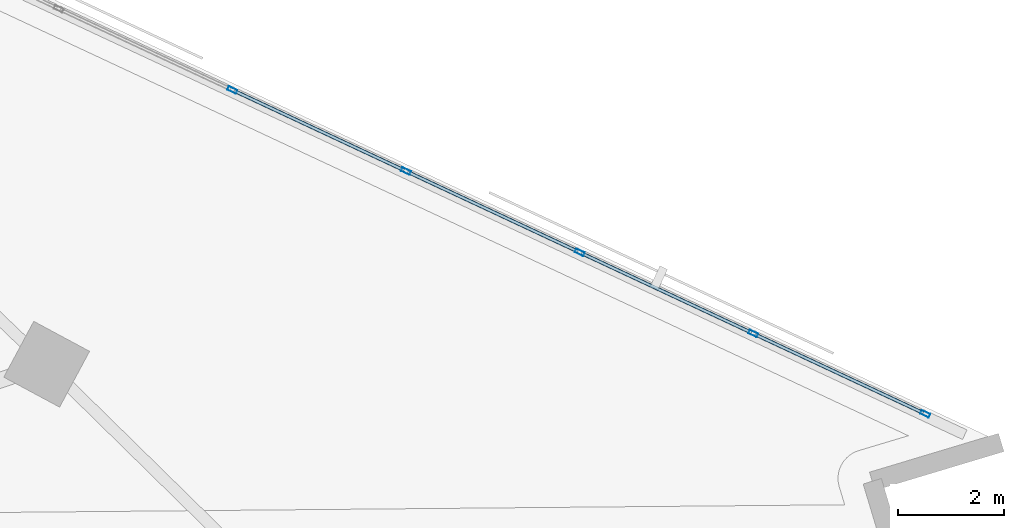
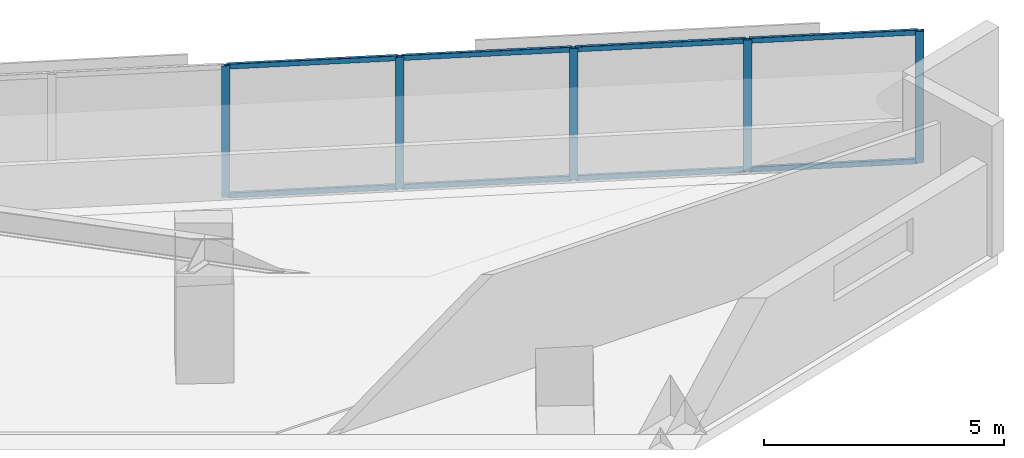
# One storey, part 5 of 15: 13 members, 1 element without a shape of its own.
"""IFC4 building model written with IfcOpenShell, lengths in metres."""

from ifc_helpers import new_model, si_unit, direction, frame, origin, origin_2d, place, context, subcontext, project, spatial, hollow_rectangle, extrude, material, material_profile, profile_set, type_object, element, aggregate, save


model = new_model("IFC4")

# Units and contexts
model_context = context("Model", 3, precision=1e-05, world=origin(), true_north=direction((0.0, 1.0)))
body_context = subcontext(model_context, "Body", "Model", "MODEL_VIEW")
ifc_project = project(units=[si_unit("LENGTHUNIT", "METRE"), si_unit("AREAUNIT", "SQUARE_METRE"), si_unit("VOLUMEUNIT", "CUBIC_METRE"), si_unit("PLANEANGLEUNIT", "RADIAN"), si_unit("MASSUNIT", "GRAM", prefix="KILO")], contexts=[model_context])

# Site, building, storey
site_placement = place(None, origin())
site = spatial("IfcSite", under=ifc_project, at=site_placement, CompositionType="ELEMENT")
building_placement = place(site_placement, origin())
building = spatial("IfcBuilding", under=site, at=building_placement, Name="Narakoshi Arena Tower", CompositionType="ELEMENT")
storey_placement = place(building_placement, frame((0.0, 0.0, 157.5)))
storey = spatial("IfcBuildingStorey", under=building, at=storey_placement, Name="L42", CompositionType="ELEMENT", Elevation=157.5)

# Curtain wall, members
ifc_material = material(Name="Anodised bronze aluminium 6063-T6", Category="aluminium")
curtain_wall_type = type_object("IfcCurtainWallType", Name="CW-HYP-MID", PredefinedType="NOTDEFINED", material=ifc_material)
curtain_wall_placement = place(storey_placement, origin())
curtain_wall = element("IfcCurtainWall", 1, at=curtain_wall_placement, inside=storey, type_object=curtain_wall_type, Name="L42 Folded Hypotenuse Curtain Wall 1-1", PredefinedType="NOTDEFINED")
ifc_material_profile_1 = material_profile(ifc_material, hollow_rectangle(XDim=0.074951171875, YDim=0.179931640625, WallThickness=0.00390625, OuterFilletRadius=0.0048828125, at=origin_2d()), Name="MUL180x75x4")
ifc_profile_set_1 = profile_set([ifc_material_profile_1], Name="Anodised bronze aluminium 6063-T6")
member_type_1 = type_object("IfcMemberType", Name="MEM-MUL-180", PredefinedType="MULLION", material=ifc_profile_set_1)
member_1_placement = place(storey_placement, frame((119.174072265625, 48.238525390625, 0.0), z_axis=(0.0, 0.0, 1.0), x_axis=(-0.423531721612, -0.905881273009, 0.0)))
member_1 = element("IfcMember", 2, at=member_1_placement, type_object=member_type_1, Name="CW-02 mullion 1", PredefinedType="MULLION", context=body_context, shape_type="SweptSolid", body=[
    extrude(hollow_rectangle(XDim=0.074951171875, YDim=0.179931640625, WallThickness=0.00390625, OuterFilletRadius=0.0048828125, at=origin_2d()), origin(), (0.0, 0.0, 1.0), 3.340087890625),
])
member_2_placement = place(storey_placement, frame((115.91650390625, 49.761474609375, 0.0), z_axis=(0.0, 0.0, 1.0), x_axis=(-0.423531721612, -0.905881273009, 0.0)))
member_2 = element("IfcMember", 3, at=member_2_placement, type_object=member_type_1, Name="CW-02 mullion 2", PredefinedType="MULLION", context=body_context, shape_type="SweptSolid", body=[
    extrude(hollow_rectangle(XDim=0.074951171875, YDim=0.179931640625, WallThickness=0.00390625, OuterFilletRadius=0.0048828125, at=origin_2d()), origin(), (0.0, 0.0, 1.0), 3.340087890625),
])
member_3_placement = place(storey_placement, frame((112.625, 51.300537109375, 0.0), z_axis=(0.0, 0.0, 1.0), x_axis=(-0.423531721612, -0.905881273009, 0.0)))
member_3 = element("IfcMember", 4, at=member_3_placement, type_object=member_type_1, Name="CW-02 mullion 3", PredefinedType="MULLION", context=body_context, shape_type="SweptSolid", body=[
    extrude(hollow_rectangle(XDim=0.074951171875, YDim=0.179931640625, WallThickness=0.00390625, OuterFilletRadius=0.0048828125, at=origin_2d()), origin(), (0.0, 0.0, 1.0), 3.340087890625),
])
member_4_placement = place(storey_placement, frame((109.33349609375, 52.83935546875, 0.0), z_axis=(0.0, 0.0, 1.0), x_axis=(-0.423531721612, -0.905881273009, 0.0)))
member_4 = element("IfcMember", 5, at=member_4_placement, type_object=member_type_1, Name="CW-02 mullion 4", PredefinedType="MULLION", context=body_context, shape_type="SweptSolid", body=[
    extrude(hollow_rectangle(XDim=0.074951171875, YDim=0.179931640625, WallThickness=0.00390625, OuterFilletRadius=0.0048828125, at=origin_2d()), origin(), (0.0, 0.0, 1.0), 3.340087890625),
])
member_5_placement = place(storey_placement, frame((106.0419921875, 54.378173828125, 0.0), z_axis=(0.0, 0.0, 1.0), x_axis=(-0.423531721612, -0.905881273009, 0.0)))
member_5 = element("IfcMember", 6, at=member_5_placement, type_object=member_type_1, Name="CW-02 mullion 5", PredefinedType="MULLION", context=body_context, shape_type="SweptSolid", body=[
    extrude(hollow_rectangle(XDim=0.074951171875, YDim=0.179931640625, WallThickness=0.00390625, OuterFilletRadius=0.0048828125, at=origin_2d()), origin(), (0.0, 0.0, 1.0), 3.340087890625),
])
ifc_material_profile_2 = material_profile(ifc_material, hollow_rectangle(XDim=0.06494140625, YDim=0.1298828125, WallThickness=0.00390625, OuterFilletRadius=0.0048828125, at=origin_2d()), Name="TRN130x65x4")
ifc_profile_set_2 = profile_set([ifc_material_profile_2], Name="Anodised bronze aluminium 6063-T6")
member_type_2 = type_object("IfcMemberType", Name="MEM-TRN-130", PredefinedType="USERDEFINED", material=ifc_profile_set_2)
member_6_placement = place(storey_placement, frame((119.14013671875, 48.25439453125, 0.032470703125), z_axis=(-0.905890644442, 0.423511676713, 0.0), x_axis=(-0.423511676713, -0.905890644442, 0.0)))
member_6 = element("IfcMember", 7, at=member_6_placement, type_object=member_type_2, Name="CW-02 transom 1.1", ObjectType="TRANSOM", PredefinedType="USERDEFINED", context=body_context, shape_type="SweptSolid", body=[
    extrude(hollow_rectangle(XDim=0.06494140625, YDim=0.1298828125, WallThickness=0.00390625, OuterFilletRadius=0.0048828125, at=origin_2d()), origin(), (0.0, 0.0, 1.0), 3.52099609375),
])
member_7_placement = place(storey_placement, frame((119.14013671875, 48.25439453125, 3.3076171875), z_axis=(-0.905890644442, 0.423511676713, 0.0), x_axis=(-0.423511676713, -0.905890644442, 0.0)))
member_7 = element("IfcMember", 8, at=member_7_placement, type_object=member_type_2, Name="CW-02 transom 1.2", ObjectType="TRANSOM", PredefinedType="USERDEFINED", context=body_context, shape_type="SweptSolid", body=[
    extrude(hollow_rectangle(XDim=0.06494140625, YDim=0.1298828125, WallThickness=0.00390625, OuterFilletRadius=0.0048828125, at=origin_2d()), origin(), (0.0, 0.0, 1.0), 3.52099609375),
])
member_8_placement = place(storey_placement, frame((115.882568359375, 49.777587890625, 0.032470703125), z_axis=(-0.905890215319, 0.423512594605, 0.0), x_axis=(-0.423512594605, -0.905890215319, 0.0)))
member_8 = element("IfcMember", 9, at=member_8_placement, type_object=member_type_2, Name="CW-02 transom 2.1", ObjectType="TRANSOM", PredefinedType="USERDEFINED", context=body_context, shape_type="SweptSolid", body=[
    extrude(hollow_rectangle(XDim=0.06494140625, YDim=0.1298828125, WallThickness=0.00390625, OuterFilletRadius=0.0048828125, at=origin_2d()), origin(), (0.0, 0.0, 1.0), 3.55859375),
])
member_9_placement = place(storey_placement, frame((115.882568359375, 49.777587890625, 3.3076171875), z_axis=(-0.905890215319, 0.423512594605, 0.0), x_axis=(-0.423512594605, -0.905890215319, 0.0)))
member_9 = element("IfcMember", 10, at=member_9_placement, type_object=member_type_2, Name="CW-02 transom 2.2", ObjectType="TRANSOM", PredefinedType="USERDEFINED", context=body_context, shape_type="SweptSolid", body=[
    extrude(hollow_rectangle(XDim=0.06494140625, YDim=0.1298828125, WallThickness=0.00390625, OuterFilletRadius=0.0048828125, at=origin_2d()), origin(), (0.0, 0.0, 1.0), 3.55859375),
])
member_10_placement = place(storey_placement, frame((112.591064453125, 51.31640625, 0.032470703125), z_axis=(-0.905890215319, 0.423512594605, 0.0), x_axis=(-0.423512594605, -0.905890215319, 0.0)))
member_10 = element("IfcMember", 11, at=member_10_placement, type_object=member_type_2, Name="CW-02 transom 3.1", ObjectType="TRANSOM", PredefinedType="USERDEFINED", context=body_context, shape_type="SweptSolid", body=[
    extrude(hollow_rectangle(XDim=0.06494140625, YDim=0.1298828125, WallThickness=0.00390625, OuterFilletRadius=0.0048828125, at=origin_2d()), origin(), (0.0, 0.0, 1.0), 3.55859375),
])
member_11_placement = place(storey_placement, frame((112.591064453125, 51.31640625, 3.3076171875), z_axis=(-0.905890215319, 0.423512594605, 0.0), x_axis=(-0.423512594605, -0.905890215319, 0.0)))
member_11 = element("IfcMember", 12, at=member_11_placement, type_object=member_type_2, Name="CW-02 transom 3.2", ObjectType="TRANSOM", PredefinedType="USERDEFINED", context=body_context, shape_type="SweptSolid", body=[
    extrude(hollow_rectangle(XDim=0.06494140625, YDim=0.1298828125, WallThickness=0.00390625, OuterFilletRadius=0.0048828125, at=origin_2d()), origin(), (0.0, 0.0, 1.0), 3.55859375),
])
member_12_placement = place(storey_placement, frame((109.299560546875, 52.855224609375, 0.032470703125), z_axis=(-0.905890215319, 0.423512594605, 0.0), x_axis=(-0.423512594605, -0.905890215319, 0.0)))
member_12 = element("IfcMember", 13, at=member_12_placement, type_object=member_type_2, Name="CW-02 transom 4.1", ObjectType="TRANSOM", PredefinedType="USERDEFINED", context=body_context, shape_type="SweptSolid", body=[
    extrude(hollow_rectangle(XDim=0.06494140625, YDim=0.1298828125, WallThickness=0.00390625, OuterFilletRadius=0.0048828125, at=origin_2d()), origin(), (0.0, 0.0, 1.0), 3.55859375),
])
member_13_placement = place(storey_placement, frame((109.299560546875, 52.855224609375, 3.3076171875), z_axis=(-0.905890215319, 0.423512594605, 0.0), x_axis=(-0.423512594605, -0.905890215319, 0.0)))
member_13 = element("IfcMember", 14, at=member_13_placement, type_object=member_type_2, Name="CW-02 transom 4.2", ObjectType="TRANSOM", PredefinedType="USERDEFINED", context=body_context, shape_type="SweptSolid", body=[
    extrude(hollow_rectangle(XDim=0.06494140625, YDim=0.1298828125, WallThickness=0.00390625, OuterFilletRadius=0.0048828125, at=origin_2d()), origin(), (0.0, 0.0, 1.0), 3.55859375),
])
aggregate(curtain_wall, [member_1, member_2, member_3, member_4, member_5, member_6, member_7, member_8, member_9, member_10, member_11, member_12, member_13])

save(model, "model.ifc")
